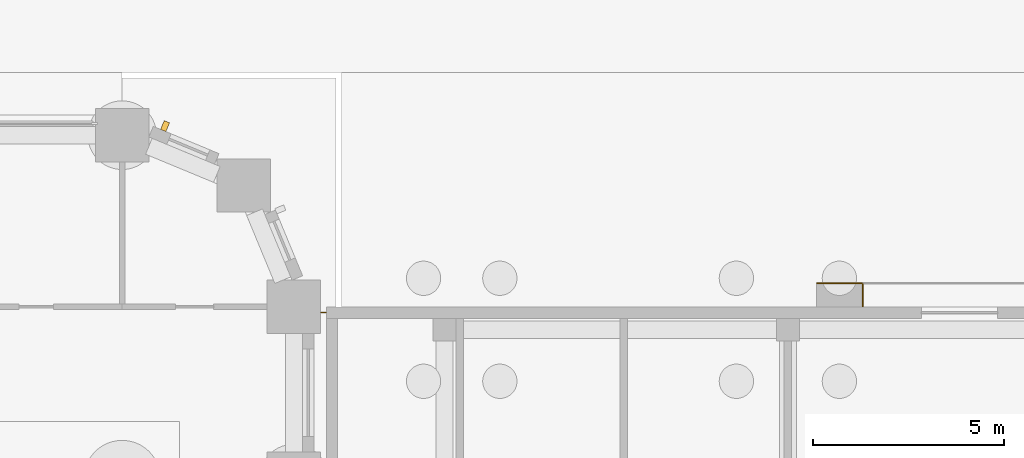
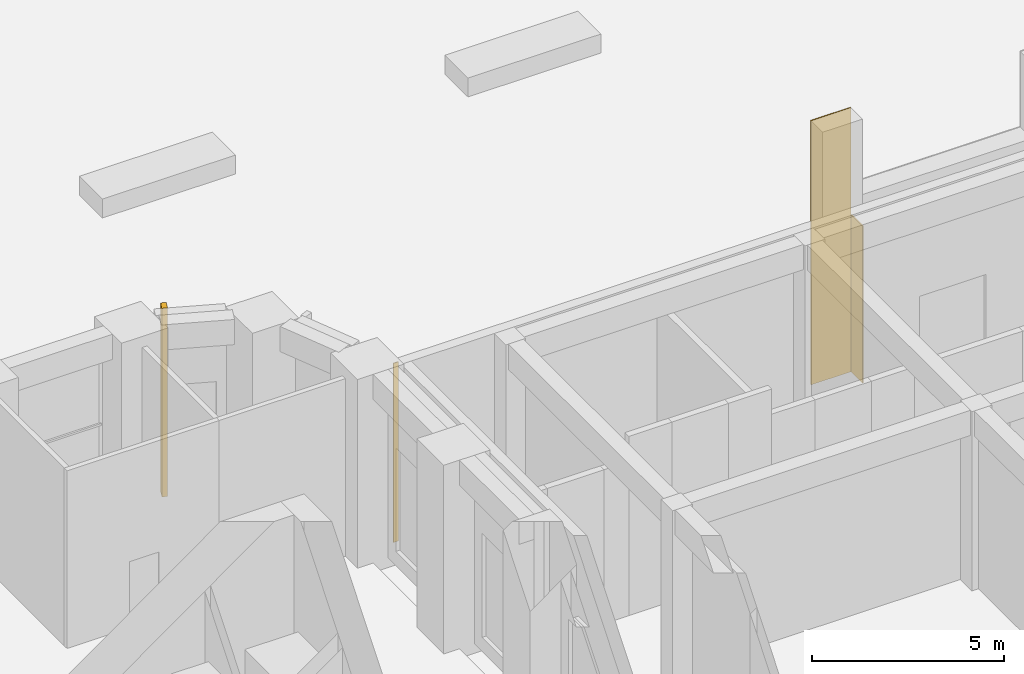
# One storey, part 27 of 31: 3 coverings, 1 shading device.
"""IFC4 building model written with IfcOpenShell, lengths in metres."""

from ifc_helpers import new_model, si_unit, direction, frame, origin, origin_2d, place, context, subcontext, project, spatial, rectangle, extrude, material, layer, layer_set, type_object, element, save


model = new_model("IFC4")

# Units and contexts
model_context = context("Model", 3, precision=1e-05, world=origin(), true_north=direction((0.0, 1.0)))
body_context = subcontext(model_context, "Body", "Model", "MODEL_VIEW")
ifc_project = project(units=[si_unit("LENGTHUNIT", "METRE"), si_unit("AREAUNIT", "SQUARE_METRE"), si_unit("VOLUMEUNIT", "CUBIC_METRE"), si_unit("PLANEANGLEUNIT", "RADIAN"), si_unit("MASSUNIT", "GRAM", prefix="KILO")], contexts=[model_context])

# Site, building, storey
site_placement = place(None, origin())
site = spatial("IfcSite", under=ifc_project, at=site_placement, CompositionType="ELEMENT")
building_placement = place(site_placement, origin())
building = spatial("IfcBuilding", under=site, at=building_placement, Name="Girih Gate Residences", CompositionType="ELEMENT")
storey_placement = place(building_placement, origin())
storey = spatial("IfcBuildingStorey", under=building, at=storey_placement, Name="L00", CompositionType="ELEMENT", Elevation=0.0)

# Shading device
ifc_material_1 = material(Name="Precast concrete C50/60", Category="concrete")
shading_device_type = type_object("IfcShadingDeviceType", Name="Corner rib 150x250", PredefinedType="USERDEFINED", material=ifc_material_1)
shading_device_placement = place(storey_placement, frame((46.123779296875, 49.738037109375, 0.0), z_axis=(0.0, 0.0, 1.0), x_axis=(-0.923879532511, 0.382683432365, 0.0)))
element("IfcShadingDevice", 1, at=shading_device_placement, inside=storey, type_object=shading_device_type, Name="Corner rib NE0482_0482.0", ObjectType="FIN", PredefinedType="USERDEFINED", context=body_context, shape_type="SweptSolid", body=[
    extrude(rectangle(XDim=0.14990234375, YDim=0.25, at=origin_2d()), origin(), (0.0, 0.0, 1.0), 6.0),
])

# Coverings
ifc_material_2 = material(Name="Glazed ceramic tile")
ifc_layer_1 = layer(ifc_material_2, 0.030029296875)
ifc_layer_set_1 = layer_set([ifc_layer_1], Name="HC Glazed tile lining")
covering_type_1 = type_object("IfcCoveringType", Name="HC Glazed tile lining", PredefinedType="CLADDING", material=ifc_layer_set_1)
covering_1_placement = place(storey_placement, frame((63.800048828125, 45.614990234375, 0.0), z_axis=(0.0, 0.0, 1.0), x_axis=(1.0, 0.0, 0.0)))
element("IfcCovering", 2, at=covering_1_placement, inside=storey, type_object=covering_type_1, Name="Entrance portal glazed tile lining jamb west front", PredefinedType="CLADDING", context=body_context, shape_type="SweptSolid", body=[
    extrude(rectangle(XDim=1.199951171875, YDim=0.030029296875, at=origin_2d()), origin(), (0.0, 0.0, 1.0), 8.39990234375),
])
covering_2_placement = place(storey_placement, frame((64.4150390625, 45.300048828125, 0.0), z_axis=(0.0, 0.0, 1.0), x_axis=(1.0, 0.0, 0.0)))
element("IfcCovering", 3, at=covering_2_placement, inside=storey, type_object=covering_type_1, Name="Entrance portal glazed tile lining reveal west", PredefinedType="CLADDING", context=body_context, shape_type="SweptSolid", body=[
    extrude(rectangle(XDim=0.030029296875, YDim=0.60009765625, at=origin_2d()), origin(), (0.0, 0.0, 1.0), 5.0),
])
ifc_material_3 = material(Name="Stainless steel cover plate", Category="steel")
ifc_layer_2 = layer(ifc_material_3, 0.02001953125)
ifc_layer_set_2 = layer_set([ifc_layer_2], Name="HC Movement joint cover plate")
covering_type_2 = type_object("IfcCoveringType", Name="HC Movement joint cover plate", PredefinedType="CLADDING", material=ifc_layer_set_2)
covering_3_placement = place(storey_placement, frame((50.27490234375, 44.85009765625, 0.0), z_axis=(0.0, 0.0, 1.0), x_axis=(1.0, 0.0, 0.0)))
element("IfcCovering", 4, at=covering_3_placement, inside=storey, type_object=covering_type_2, Name="L00 joint between tower and health centre cover plate 2", PredefinedType="CLADDING", context=body_context, shape_type="SweptSolid", body=[
    extrude(rectangle(XDim=0.14990234375, YDim=0.02001953125, at=origin_2d()), origin(), (0.0, 0.0, 1.0), 5.699951171875),
])

save(model, "model.ifc")
